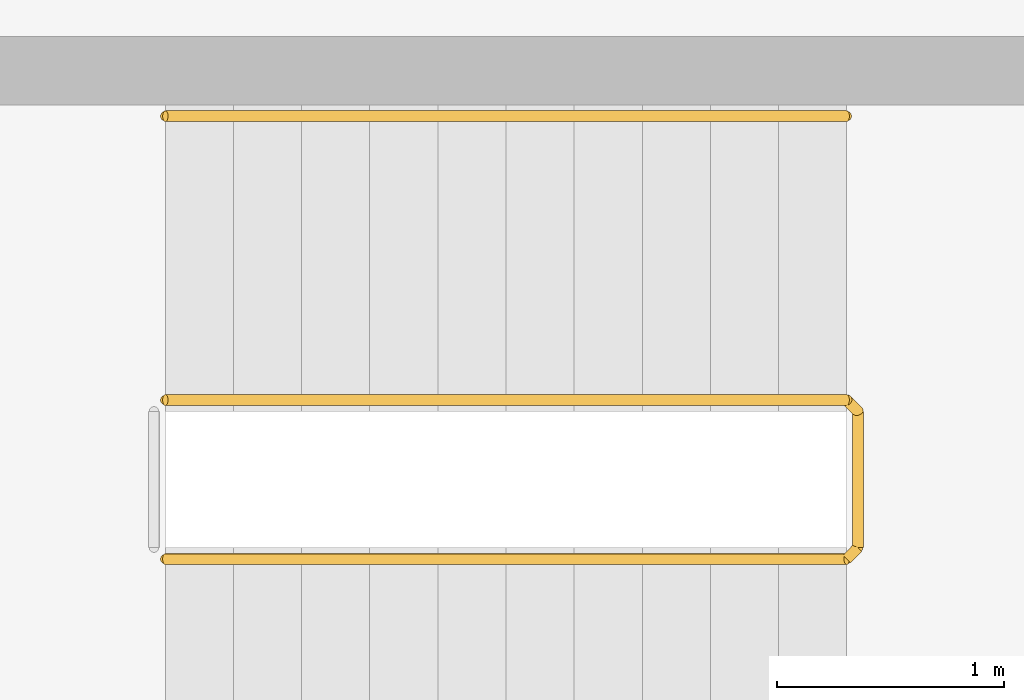
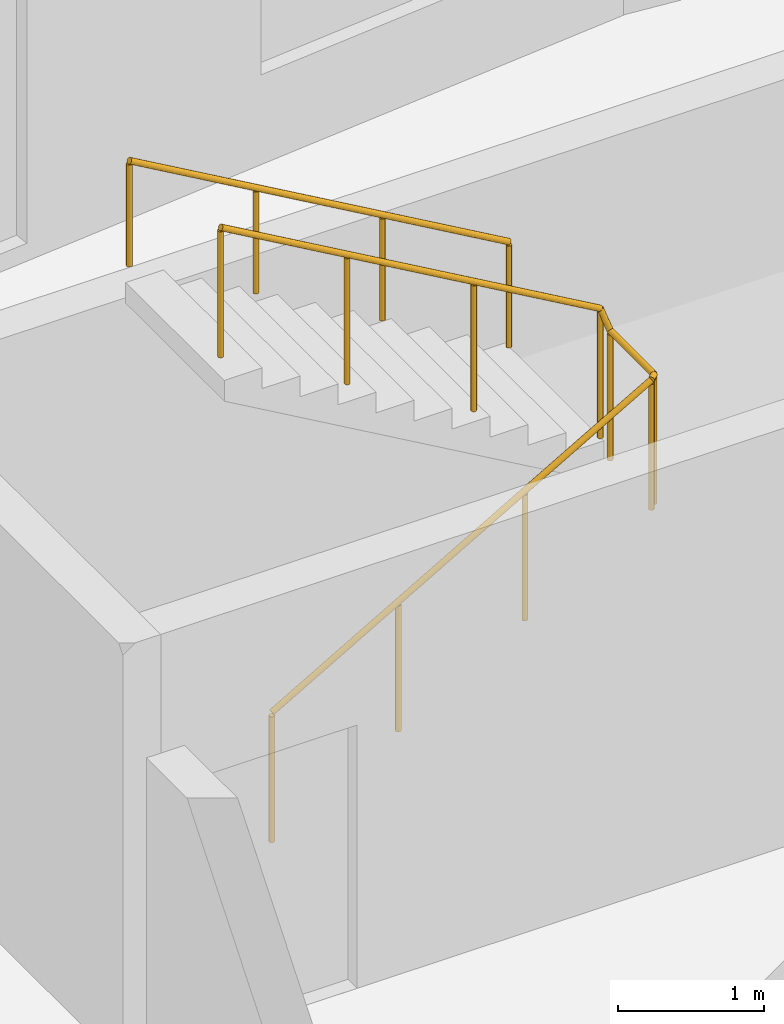
# One storey, part 11 of 11: 2 railings.
"""IFC4 building model written with IfcOpenShell, lengths in metres."""

from ifc_helpers import new_model, si_unit, direction, frame, origin, origin_2d, place, context, subcontext, project, spatial, circle, extrude, material, type_object, element, save


model = new_model("IFC4")

# Units and contexts
model_context = context("Model", 3, precision=1e-05, world=origin(), true_north=direction((0.0, 1.0)))
body_context = subcontext(model_context, "Body", "Model", "MODEL_VIEW")
ifc_project = project(units=[si_unit("LENGTHUNIT", "METRE"), si_unit("AREAUNIT", "SQUARE_METRE"), si_unit("VOLUMEUNIT", "CUBIC_METRE"), si_unit("PLANEANGLEUNIT", "RADIAN"), si_unit("MASSUNIT", "GRAM", prefix="KILO")], contexts=[model_context])

# Site, building, storey
site_placement = place(None, origin())
site = spatial("IfcSite", under=ifc_project, at=site_placement, CompositionType="ELEMENT")
building_placement = place(site_placement, origin())
building = spatial("IfcBuilding", under=site, at=building_placement, Name="Brondeck Convention Tower", CompositionType="ELEMENT")
storey_placement = place(building_placement, frame((0.0, 0.0, 134.10009765625)))
storey = spatial("IfcBuildingStorey", under=building, at=storey_placement, Name="L32", CompositionType="ELEMENT", Elevation=134.10009765625)

# Railings
ifc_material = material(Name="Steel S355", Category="steel")
railing_type_1 = type_object("IfcRailingType", Name="Stair guard 1100", PredefinedType="GUARDRAIL", material=ifc_material)
railing_1_placement = place(storey_placement, frame((37.85009765625, 55.449951171875, 0.172607421875)))
element("IfcRailing", 1, at=railing_1_placement, inside=storey, type_object=railing_type_1, Name="L32 ST-AE stair guard 1", PredefinedType="GUARDRAIL", context=body_context, shape_type="SweptSolid", body=[
    extrude(circle(Radius=0.02392578125, at=origin_2d()), frame((0.0, 0.0, 1.076171875), z_axis=(0.866619684472, 0.0, 0.498969260062), x_axis=(0.0, 1.0, 0.0)), (0.0, 0.0, 1.0), 3.461669921875),
    extrude(circle(Radius=0.02392578125, at=origin_2d()), frame((3.0, 0.0, 2.80322265625), z_axis=(0.705375805398, 0.708833529934, 0.0), x_axis=(-0.708833529934, 0.705375805398, 0.0)), (0.0, 0.0, 1.0), 0.070556640625),
    extrude(circle(Radius=0.02392578125, at=origin_2d()), frame((3.0498046875, 0.050048828125, 2.80322265625), z_axis=(0.0, 1.0, 0.0), x_axis=(-1.0, 0.0, 0.0)), (0.0, 0.0, 1.0), 0.60009765625),
    extrude(circle(Radius=0.02392578125, at=origin_2d()), frame((3.0498046875, 0.650146484375, 2.80322265625), z_axis=(-0.26715648603, 0.26715648603, 0.925880566782), x_axis=(-0.707106781187, -0.707106781187, 0.0)), (0.0, 0.0, 1.0), 0.1865234375),
    extrude(circle(Radius=0.02392578125, at=origin_2d()), frame((3.0, 0.699951171875, 2.97607421875), z_axis=(-0.866619684472, 0.0, 0.498969260062), x_axis=(0.0, -1.0, 0.0)), (0.0, 0.0, 1.0), 3.461669921875),
    extrude(circle(Radius=0.02099609375, at=origin_2d()), origin(), (0.0, 0.0, 1.0), 1.052001953125),
    extrude(circle(Radius=0.02099609375, at=origin_2d()), frame((1.0, 0.0, 0.57568359375)), (0.0, 0.0, 1.0), 1.052001953125),
    extrude(circle(Radius=0.02099609375, at=origin_2d()), frame((2.0, 0.0, 1.151611328125)), (0.0, 0.0, 1.0), 1.052001953125),
    extrude(circle(Radius=0.02099609375, at=origin_2d()), frame((3.0, 0.0, 1.727294921875)), (0.0, 0.0, 1.0), 1.052001953125),
    extrude(circle(Radius=0.02099609375, at=origin_2d()), frame((3.0498046875, 0.050048828125, 1.727294921875)), (0.0, 0.0, 1.0), 1.052001953125),
    extrude(circle(Radius=0.02099609375, at=origin_2d()), frame((3.0498046875, 0.650146484375, 1.727294921875)), (0.0, 0.0, 1.0), 1.052001953125),
    extrude(circle(Radius=0.02099609375, at=origin_2d()), frame((3.0, 0.699951171875, 1.89990234375)), (0.0, 0.0, 1.0), 1.052001953125),
    extrude(circle(Radius=0.02099609375, at=origin_2d()), frame((2.0, 0.699951171875, 2.4755859375)), (0.0, 0.0, 1.0), 1.052001953125),
    extrude(circle(Radius=0.02099609375, at=origin_2d()), frame((1.0, 0.699951171875, 3.051513671875)), (0.0, 0.0, 1.0), 1.052001953125),
    extrude(circle(Radius=0.02099609375, at=origin_2d()), frame((0.0, 0.699951171875, 3.627197265625)), (0.0, 0.0, 1.0), 1.052001953125),
])
railing_type_2 = type_object("IfcRailingType", Name="Stair handrail", PredefinedType="HANDRAIL", material=ifc_material)
railing_2_placement = place(storey_placement, frame((40.85009765625, 57.39990234375, 2.072509765625)))
element("IfcRailing", 2, at=railing_2_placement, inside=storey, type_object=railing_type_2, Name="L32 ST-AE stair handrail 2", PredefinedType="HANDRAIL", context=body_context, shape_type="SweptSolid", body=[
    extrude(circle(Radius=0.02392578125, at=origin_2d()), frame((0.0, 0.0, 0.8759765625), z_axis=(-0.866619684472, 0.0, 0.498969260062), x_axis=(0.0, -1.0, 0.0)), (0.0, 0.0, 1.0), 3.461669921875),
    extrude(circle(Radius=0.02099609375, at=origin_2d()), origin(), (0.0, 0.0, 1.0), 0.851806640625),
    extrude(circle(Radius=0.02099609375, at=origin_2d()), frame((-1.0, 0.0, 0.57568359375)), (0.0, 0.0, 1.0), 0.851806640625),
    extrude(circle(Radius=0.02099609375, at=origin_2d()), frame((-2.0, 0.0, 1.151611328125)), (0.0, 0.0, 1.0), 0.851806640625),
    extrude(circle(Radius=0.02099609375, at=origin_2d()), frame((-3.0, 0.0, 1.727294921875)), (0.0, 0.0, 1.0), 0.851806640625),
])

save(model, "model.ifc")
